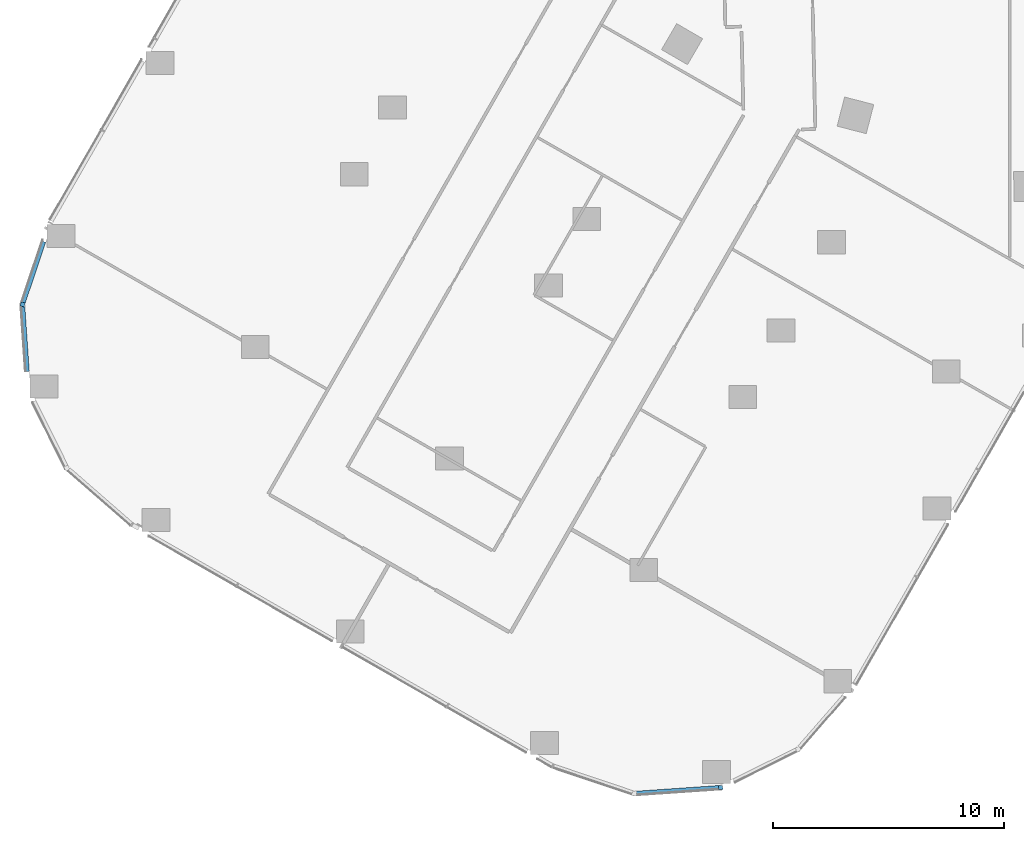
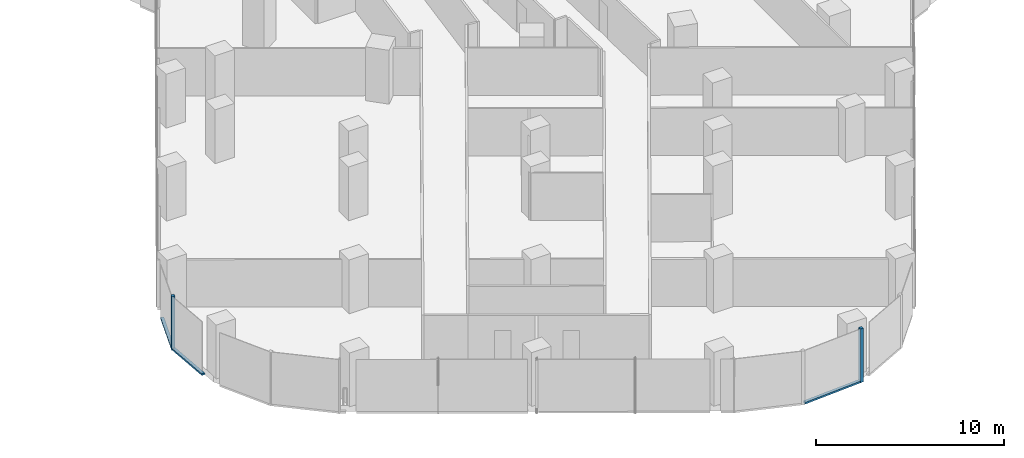
# One storey, part 3 of 34: 5 members, 3 elements without a shape of their own.
"""IFC4 building model written with IfcOpenShell, lengths in metres."""

import ifcopenshell
import ifcopenshell.guid

model = None  # the IFC model being written
_history = None  # IfcOwnerHistory: only IFC2X3 demands one
_inside = {}  # id of a spatial element -> (the spatial element, [elements in it])
_under = {}  # id of a project, library or spatial element -> (it, [spatial elements below it])
_declared = {}  # id of a project -> (the project, [libraries it declares])
_typed = {}  # id of a type object -> (the type object, [elements of that type])
_made_of = {}  # id of a material, layer set ... -> (it, [elements and type objects made of it])


def new_model(schema):
    """Start an empty IFC model of exactly this schema.

    Asked for "IFC4X3", IfcOpenShell would pick the latest addendum, in which some entities
    have other attributes; the version numbers below select the first issue.
    IFC2X3 requires an IfcOwnerHistory on every rooted entity: one is made here for all.
    """
    global model, _history
    if schema == "IFC4X3":
        model = ifcopenshell.file(schema_version=(4, 3, 0, 0))
    else:
        model = ifcopenshell.file(schema=schema)
    _inside.clear()
    _under.clear()
    _declared.clear()
    _typed.clear()
    _made_of.clear()
    _history = None
    if model.schema == "IFC2X3":
        org = make("IfcOrganization", Name="unknown")
        user = make(
            "IfcPersonAndOrganization",
            ThePerson=make("IfcPerson", FamilyName="unknown"),
            TheOrganization=org,
        )
        app = make(
            "IfcApplication",
            ApplicationDeveloper=org,
            Version="unknown",
            ApplicationFullName="unknown",
            ApplicationIdentifier="unknown",
        )
        _history = make(
            "IfcOwnerHistory",
            OwningUser=user,
            OwningApplication=app,
            ChangeAction="ADDED",
            CreationDate=0,
        )
    return model


def make(cls, **values):
    """One entity of the class cls with the attributes given. An attribute that is None is left unset."""
    return model.create_entity(
        cls, **{name: value for name, value in values.items() if value is not None}
    )


def rooted(cls, **values):
    """An entity with a GlobalId (a new one), such as an element, a storey or a relation."""
    return make(cls, GlobalId=ifcopenshell.guid.new(), OwnerHistory=_history, **values)


def si_unit(unit_type, name, prefix=None):
    """IfcSIUnit, for example si_unit("LENGTHUNIT", "METRE", prefix="MILLI")."""
    return make("IfcSIUnit", UnitType=unit_type, Prefix=prefix, Name=name)


def assignment(units):
    """IfcUnitAssignment: the units of a project."""
    return None if units is None else make("IfcUnitAssignment", Units=units)


def point(xyz):
    """IfcCartesianPoint."""
    return None if xyz is None else make("IfcCartesianPoint", Coordinates=xyz)


def direction(xyz):
    """IfcDirection."""
    return None if xyz is None else make("IfcDirection", DirectionRatios=xyz)


def frame(location, z_axis=None, x_axis=None):
    """IfcAxis2Placement3D, a coordinate frame: its origin and axes. An axis left out is left unset."""
    return make(
        "IfcAxis2Placement3D",
        Location=point(location),
        Axis=direction(z_axis),
        RefDirection=direction(x_axis),
    )


def frame_2d(location, x_axis=None):
    """IfcAxis2Placement2D, a coordinate frame in the plane: its origin and x axis."""
    return make(
        "IfcAxis2Placement2D", Location=point(location), RefDirection=direction(x_axis)
    )


def origin():
    """The frame at (0, 0, 0) with its axes left unset."""
    return frame((0.0, 0.0, 0.0))


def origin_2d():
    """The frame at (0, 0) in the plane with its x axis left unset."""
    return frame_2d((0.0, 0.0))


def place(relative_to, where):
    """IfcLocalPlacement: puts the frame where relative to a parent placement (None: the world)."""
    return make(
        "IfcLocalPlacement", PlacementRelTo=relative_to, RelativePlacement=where
    )


def context(
    kind, dimensions, precision=None, world=None, true_north=None, identifier=None
):
    """IfcGeometricRepresentationContext, for example the 3D "Model" context."""
    return make(
        "IfcGeometricRepresentationContext",
        ContextIdentifier=identifier,
        ContextType=kind,
        CoordinateSpaceDimension=dimensions,
        Precision=precision,
        WorldCoordinateSystem=world,
        TrueNorth=true_north,
    )


def subcontext(parent, identifier, kind, view, scale=None):
    """IfcGeometricRepresentationSubContext, for example "Body" below "Model"."""
    return make(
        "IfcGeometricRepresentationSubContext",
        ContextIdentifier=identifier,
        ContextType=kind,
        ParentContext=parent,
        TargetScale=scale,
        TargetView=view,
    )


def project(units=None, contexts=None):
    """IfcProject with its units and contexts."""
    return rooted(
        "IfcProject",
        Name="project",
        RepresentationContexts=contexts,
        UnitsInContext=assignment(units),
    )


def spatial(cls, under=None, at=None, **own):
    """A site, building, storey or space (cls), placed at a placement, below another one or the project."""
    s = rooted(cls, ObjectPlacement=at, **own)
    if under is not None:
        _under.setdefault(under.id(), (under, []))[1].append(s)
    return s


def profile(cls, at=None, kind="AREA", **sizes):
    """A parametric profile (cls). Its sizes go by their IFC names, for example OverallWidth=200.0."""
    return make(cls, ProfileType=kind, Position=at, **sizes)


def rectangle(**sizes):
    """IfcRectangleProfileDef."""
    return profile("IfcRectangleProfileDef", **sizes)


def extrude(swept, where, along, depth):
    """IfcExtrudedAreaSolid: the profile swept, set in the frame where, extruded along a direction by depth."""
    return make(
        "IfcExtrudedAreaSolid",
        SweptArea=swept,
        Position=where,
        ExtrudedDirection=direction(along),
        Depth=depth,
    )


def shape(context_of_items, identifier, shape_type, items):
    """IfcShapeRepresentation: the items that make up one representation, for example the "Body"."""
    return make(
        "IfcShapeRepresentation",
        ContextOfItems=context_of_items,
        RepresentationIdentifier=identifier,
        RepresentationType=shape_type,
        Items=items,
    )


def material(Name=None, Category=None):
    """IfcMaterial."""
    return make("IfcMaterial", Name=Name, Category=Category)


def material_profile(
    of_material, cross_section, Name=None, Category=None, Priority=None
):
    """IfcMaterialProfile: a cross section and its material."""
    return make(
        "IfcMaterialProfile",
        Name=Name,
        Material=of_material,
        Profile=cross_section,
        Priority=Priority,
        Category=Category,
    )


def profile_set(profiles, Name=None, composite=None):
    """IfcMaterialProfileSet."""
    return make(
        "IfcMaterialProfileSet",
        Name=Name,
        MaterialProfiles=profiles,
        CompositeProfile=composite,
    )


def made_of(thing, what):
    """Note that an element or type object is made of a material, layer set ...; save() writes the relation."""
    if what is not None:
        _made_of.setdefault(what.id(), (what, []))[1].append(thing)
    return thing


def type_object(cls, material=None, **own):
    """A type object (cls), such as IfcWallType, which elements share."""
    return made_of(rooted(cls, **own), material)


def element(
    cls,
    number,
    at=None,
    inside=None,
    cuts=None,
    type_object=None,
    material=None,
    context=None,
    identifier="Body",
    shape_type=None,
    held_by="IfcProductDefinitionShape",
    body=None,
    shapes=None,
    **own,
):
    """One element of the class cls, such as IfcWall. Its Tag is "e" and its number.

    at: its placement. inside: the storey or other place that contains it. cuts: it is an
    opening in that element (IfcRelVoidsElement). A single representation is given by context,
    identifier, shape_type and body (its items); several are given by shapes. held_by: the class
    of the entity that holds the representations. save() writes the other relations.
    """
    e = rooted(cls, Tag="e%d" % number, ObjectPlacement=at, **own)
    if body is not None:
        shapes = [shape(context, identifier, shape_type, body)]
    if shapes is not None:
        e.Representation = make(held_by, Representations=shapes)
    if inside is not None:
        _inside.setdefault(inside.id(), (inside, []))[1].append(e)
    if cuts is not None:
        rooted(
            "IfcRelVoidsElement", RelatingBuildingElement=cuts, RelatedOpeningElement=e
        )
    if type_object is not None:
        _typed.setdefault(type_object.id(), (type_object, []))[1].append(e)
    return made_of(e, material)


def aggregate(whole, parts):
    """IfcRelAggregates: a whole, such as a stair, and the parts it consists of."""
    return rooted("IfcRelAggregates", RelatingObject=whole, RelatedObjects=parts)


def save(model, path):
    """Write the relations noted so far, then the file.

    IfcRelAggregates (storeys below a building ...), IfcRelContainedInSpatialStructure (elements
    in a storey), IfcRelDefinesByType, IfcRelAssociatesMaterial and IfcRelDeclares: one each for
    every whole, place, type object, material and project.
    """
    for whole, parts in _under.values():
        aggregate(whole, parts)
    for where, things in _inside.values():
        rooted(
            "IfcRelContainedInSpatialStructure",
            RelatedElements=things,
            RelatingStructure=where,
        )
    for kind, things in _typed.values():
        rooted("IfcRelDefinesByType", RelatedObjects=things, RelatingType=kind)
    for what, things in _made_of.values():
        rooted("IfcRelAssociatesMaterial", RelatedObjects=things, RelatingMaterial=what)
    for by, libraries in _declared.values():
        rooted("IfcRelDeclares", RelatingContext=by, RelatedDefinitions=libraries)
    model.write(path)


model = new_model("IFC4")

# Units and contexts
model_context = context("Model", 3, precision=1e-05, world=origin(), true_north=direction((0.0, 1.0)))
body_context = subcontext(model_context, "Body", "Model", "MODEL_VIEW")
ifc_project = project(units=[si_unit("LENGTHUNIT", "METRE"), si_unit("AREAUNIT", "SQUARE_METRE"), si_unit("VOLUMEUNIT", "CUBIC_METRE"), si_unit("PLANEANGLEUNIT", "RADIAN"), si_unit("MASSUNIT", "GRAM", prefix="KILO")], contexts=[model_context])

# Site, building, storey
site_placement = place(None, origin())
site = spatial("IfcSite", under=ifc_project, at=site_placement, CompositionType="ELEMENT")
building_placement = place(site_placement, origin())
building = spatial("IfcBuilding", under=site, at=building_placement, Name="Orlundy Tower", CompositionType="ELEMENT")
storey_placement = place(building_placement, frame((0.0, 0.0, 112.699951171875)))
storey = spatial("IfcBuildingStorey", under=building, at=storey_placement, Name="L28", CompositionType="ELEMENT", Elevation=112.699951171875)

# Curtain wall, member
ifc_material_1 = material(Name="Aluminium bronze anodised", Category="aluminium")
curtain_wall_type = type_object("IfcCurtainWallType", Name="CW1 wall", PredefinedType="NOTDEFINED", material=ifc_material_1)
curtain_wall_1_placement = place(storey_placement, origin())
curtain_wall_1 = element("IfcCurtainWall", 1, at=curtain_wall_1_placement, inside=storey, type_object=curtain_wall_type, Name="CW1 run 05", PredefinedType="NOTDEFINED")
ifc_material_2 = material(Name="Aluminium bronze anodised", Category="aluminium")
ifc_material_profile_1 = material_profile(ifc_material_2, rectangle(XDim=0.179931640625, YDim=0.179931640625, at=origin_2d()), Name="CW1 corner post 180x180")
ifc_profile_set_1 = profile_set([ifc_material_profile_1], Name="Aluminium bronze anodised")
member_type_1 = type_object("IfcMemberType", Name="CW1 corner post 180x180", PredefinedType="MULLION", material=ifc_profile_set_1)
member_1_placement = place(storey_placement, frame((-13.256103515625, -57.8544921875, -0.39990234375), z_axis=(0.0, 0.0, 1.0), x_axis=(0.068524326451, -0.99764944579, 0.0)))
member_1 = element("IfcMember", 2, at=member_1_placement, type_object=member_type_1, Name="CW1 mullion 16", PredefinedType="MULLION", context=body_context, shape_type="SweptSolid", body=[
    extrude(rectangle(XDim=0.179931640625, YDim=0.179931640625, at=origin_2d()), origin(), (0.0, 0.0, 1.0), 3.5),
])

curtain_wall_2_placement = place(storey_placement, origin())
curtain_wall_2 = element("IfcCurtainWall", 3, at=curtain_wall_2_placement, inside=storey, type_object=curtain_wall_type, Name="CW1 run 011", PredefinedType="NOTDEFINED")
member_2_placement = place(storey_placement, frame((-43.49609375, -36.92626953125, -0.39990234375), z_axis=(0.0, 0.0, 1.0), x_axis=(-0.947816641566, 0.318815956268, 0.0)))
member_2 = element("IfcMember", 4, at=member_2_placement, type_object=member_type_1, Name="CW1 mullion 25", PredefinedType="MULLION", context=body_context, shape_type="SweptSolid", body=[
    extrude(rectangle(XDim=0.179931640625, YDim=0.179931640625, at=origin_2d()), origin(), (0.0, 0.0, 1.0), 3.5),
])

# Member
ifc_material_3 = material(Name="Aluminium bronze anodised", Category="aluminium")
ifc_material_profile_2 = material_profile(ifc_material_3, rectangle(XDim=0.179931640625, YDim=0.1201171875, at=origin_2d()), Name="CW1 transom 180x120")
ifc_profile_set_2 = profile_set([ifc_material_profile_2], Name="Aluminium bronze anodised")
member_type_2 = type_object("IfcMemberType", Name="CW1 transom 180x120", PredefinedType="USERDEFINED", material=ifc_profile_set_2)
member_3_placement = place(storey_placement, frame((-13.345703125, -57.86083984375, -0.33984375), z_axis=(-0.997653514019, -0.068465071137, 0.0), x_axis=(0.068465071137, -0.997653514019, 0.0)))
member_3 = element("IfcMember", 5, at=member_3_placement, type_object=member_type_2, Name="CW1 transom", ObjectType="TRANSOM", PredefinedType="USERDEFINED", context=body_context, shape_type="SweptSolid", body=[
    extrude(rectangle(XDim=0.179931640625, YDim=0.1201171875, at=origin_2d()), origin(), (0.0, 0.0, 1.0), 3.55517578125),
])

aggregate(curtain_wall_1, [member_1, member_3])

# Curtain wall, member
curtain_wall_3_placement = place(storey_placement, origin())
curtain_wall_3 = element("IfcCurtainWall", 6, at=curtain_wall_3_placement, inside=storey, type_object=curtain_wall_type, Name="CW1 run 010", PredefinedType="NOTDEFINED")
member_4_placement = place(storey_placement, frame((-43.29736328125, -39.8291015625, -0.33984375), z_axis=(-0.068235990072, 0.997669208535, 0.0), x_axis=(-0.997669208535, -0.068235990072, 0.0)))
member_4 = element("IfcMember", 7, at=member_4_placement, type_object=member_type_2, Name="CW1 transom", ObjectType="TRANSOM", PredefinedType="USERDEFINED", context=body_context, shape_type="SweptSolid", body=[
    extrude(rectangle(XDim=0.179931640625, YDim=0.1201171875, at=origin_2d()), origin(), (0.0, 0.0, 1.0), 2.812255859375),
])
aggregate(curtain_wall_3, [member_4])

# Member
member_5_placement = place(storey_placement, frame((-43.46728515625, -36.841064453125, -0.33984375), z_axis=(0.318784984318, 0.947827059, 0.0), x_axis=(-0.947827059, 0.318784984318, 0.0)))
member_5 = element("IfcMember", 8, at=member_5_placement, type_object=member_type_2, Name="CW1 transom", ObjectType="TRANSOM", PredefinedType="USERDEFINED", context=body_context, shape_type="SweptSolid", body=[
    extrude(rectangle(XDim=0.179931640625, YDim=0.1201171875, at=origin_2d()), origin(), (0.0, 0.0, 1.0), 2.77685546875),
])

aggregate(curtain_wall_2, [member_2, member_5])

save(model, "model.ifc")
